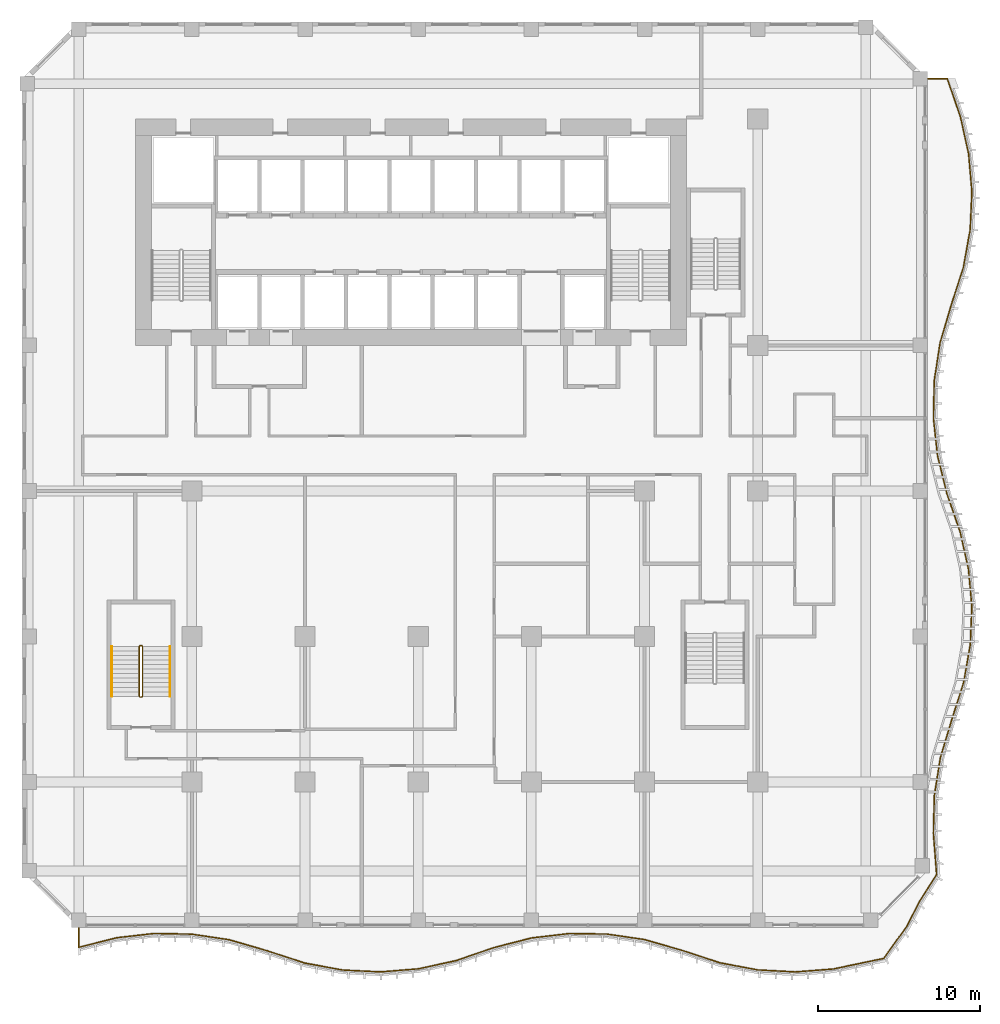
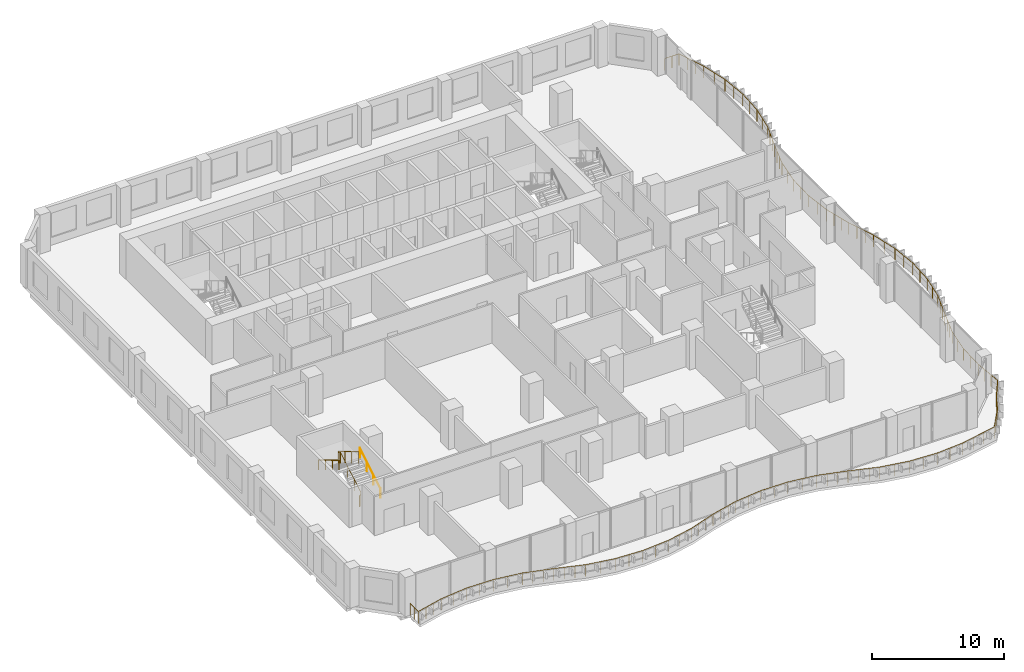
# One storey, part 19 of 21: 4 railings.
"""IFC4 building model written with IfcOpenShell, lengths in metres."""

from ifc_helpers import new_model, si_unit, direction, frame, origin, origin_2d, place, context, subcontext, project, spatial, circle, extrude, material, type_object, element, save


model = new_model("IFC4")

# Units and contexts
model_context = context("Model", 3, precision=1e-05, world=origin(), true_north=direction((0.0, 1.0)))
body_context = subcontext(model_context, "Body", "Model", "MODEL_VIEW")
ifc_project = project(units=[si_unit("LENGTHUNIT", "METRE"), si_unit("AREAUNIT", "SQUARE_METRE"), si_unit("VOLUMEUNIT", "CUBIC_METRE"), si_unit("PLANEANGLEUNIT", "RADIAN"), si_unit("MASSUNIT", "GRAM", prefix="KILO")], contexts=[model_context])

# Site, building, storey
site_placement = place(None, origin())
site = spatial("IfcSite", under=ifc_project, at=site_placement, CompositionType="ELEMENT")
building_placement = place(site_placement, origin())
building = spatial("IfcBuilding", under=site, at=building_placement, Name="Kilnfold Tower and Market Hall", CompositionType="ELEMENT")
storey_placement = place(building_placement, frame((0.0, 0.0, 91.199951171875)))
storey = spatial("IfcBuildingStorey", under=building, at=storey_placement, Name="L21", CompositionType="ELEMENT", Elevation=91.199951171875)

# Railings
ifc_material_1 = material(Name="Stainless steel 316", Category="steel")
railing_type_1 = type_object("IfcRailingType", Name="CORE STAIR GUARD 1100", PredefinedType="GUARDRAIL", material=ifc_material_1)
railing_1_placement = place(storey_placement, frame((-15.699951171875, -13.75, 0.0)))
element("IfcRailing", 1, at=railing_1_placement, inside=storey, type_object=railing_type_1, Name="L21 ST3 stair guard 1", PredefinedType="GUARDRAIL", context=body_context, shape_type="SweptSolid", body=[
    extrude(circle(Radius=0.02392578125, at=origin_2d()), frame((0.0, 0.0, 1.076171875), z_axis=(1.0, 0.0, 0.0), x_axis=(0.0, 1.0, 0.0)), (0.0, 0.0, 1.0), 0.099853515625),
    extrude(circle(Radius=0.02392578125, at=origin_2d()), frame((0.099853515625, 0.0, 1.076171875), z_axis=(0.27628659633, 0.27628659633, 0.920506074601), x_axis=(-0.707106781187, 0.707106781187, 0.0)), (0.0, 0.0, 1.0), 0.18115234375),
    extrude(circle(Radius=0.02392578125, at=origin_2d()), frame((0.14990234375, 0.050048828125, 1.24267578125), z_axis=(0.0, 0.859290745958, 0.51148745235), x_axis=(-1.0, 0.0, 0.0)), (0.0, 0.0, 1.0), 3.584228515625),
    extrude(circle(Radius=0.02392578125, at=origin_2d()), frame((0.14990234375, 3.1298828125, 3.076171875), z_axis=(-0.707106781187, 0.707106781187, 0.0), x_axis=(-0.707106781187, -0.707106781187, 0.0)), (0.0, 0.0, 1.0), 0.07080078125),
    extrude(circle(Radius=0.02392578125, at=origin_2d()), frame((0.099853515625, 3.179931640625, 3.076171875), z_axis=(-1.0, 0.0, 0.0), x_axis=(0.0, -1.0, 0.0)), (0.0, 0.0, 1.0), 0.099853515625),
    extrude(circle(Radius=0.02392578125, at=origin_2d()), frame((0.0, 3.179931640625, 3.076171875), z_axis=(-0.27628659633, -0.27628659633, 0.920506074601), x_axis=(0.707106781187, -0.707106781187, 0.0)), (0.0, 0.0, 1.0), 0.18115234375),
    extrude(circle(Radius=0.02392578125, at=origin_2d()), frame((-0.050048828125, 3.1298828125, 3.24267578125), z_axis=(0.0, -0.859290745958, 0.51148745235), x_axis=(1.0, 0.0, 0.0)), (0.0, 0.0, 1.0), 3.584228515625),
    extrude(circle(Radius=0.02099609375, at=origin_2d()), origin(), (0.0, 0.0, 1.0), 1.052001953125),
    extrude(circle(Radius=0.02099609375, at=origin_2d()), frame((0.099853515625, 0.0, 0.0)), (0.0, 0.0, 1.0), 1.052001953125),
    extrude(circle(Radius=0.02099609375, at=origin_2d()), frame((0.14990234375, 0.050048828125, 0.166748046875)), (0.0, 0.0, 1.0), 1.052001953125),
    extrude(circle(Radius=0.02099609375, at=origin_2d()), frame((0.14990234375, 1.07666015625, 0.77783203125)), (0.0, 0.0, 1.0), 1.052001953125),
    extrude(circle(Radius=0.02099609375, at=origin_2d()), frame((0.14990234375, 2.103271484375, 1.388916015625)), (0.0, 0.0, 1.0), 1.052001953125),
    extrude(circle(Radius=0.02099609375, at=origin_2d()), frame((0.14990234375, 3.1298828125, 2.0)), (0.0, 0.0, 1.0), 1.052001953125),
    extrude(circle(Radius=0.02099609375, at=origin_2d()), frame((0.099853515625, 3.179931640625, 2.0)), (0.0, 0.0, 1.0), 1.052001953125),
    extrude(circle(Radius=0.02099609375, at=origin_2d()), frame((0.0, 3.179931640625, 2.0)), (0.0, 0.0, 1.0), 1.052001953125),
    extrude(circle(Radius=0.02099609375, at=origin_2d()), frame((-0.050048828125, 3.1298828125, 2.166748046875)), (0.0, 0.0, 1.0), 1.052001953125),
    extrude(circle(Radius=0.02099609375, at=origin_2d()), frame((-0.050048828125, 2.103271484375, 2.77783203125)), (0.0, 0.0, 1.0), 1.052001953125),
    extrude(circle(Radius=0.02099609375, at=origin_2d()), frame((-0.050048828125, 1.07666015625, 3.388916015625)), (0.0, 0.0, 1.0), 1.052001953125),
    extrude(circle(Radius=0.02099609375, at=origin_2d()), frame((-0.050048828125, 0.050048828125, 4.0)), (0.0, 0.0, 1.0), 1.052001953125),
])
ifc_material_2 = material(Name="Stainless steel 316", Category="steel")
railing_type_2 = type_object("IfcRailingType", Name="CORE STAIR HANDRAIL 900", PredefinedType="HANDRAIL", material=ifc_material_2)
railing_2_placement = place(storey_placement, frame((-13.85009765625, -13.699951171875, 0.166748046875)))
element("IfcRailing", 2, at=railing_2_placement, inside=storey, type_object=railing_type_2, Name="L21 ST3 stair handrail 1", PredefinedType="HANDRAIL", context=body_context, shape_type="SweptSolid", body=[
    extrude(circle(Radius=0.02392578125, at=origin_2d()), frame((0.0, 0.0, 0.8759765625), z_axis=(0.0, 0.859290745958, 0.51148745235), x_axis=(-1.0, 0.0, 0.0)), (0.0, 0.0, 1.0), 3.584228515625),
    extrude(circle(Radius=0.02099609375, at=origin_2d()), origin(), (0.0, 0.0, 1.0), 0.851806640625),
    extrude(circle(Radius=0.02099609375, at=origin_2d()), frame((0.0, 1.026611328125, 0.611083984375)), (0.0, 0.0, 1.0), 0.851806640625),
    extrude(circle(Radius=0.02099609375, at=origin_2d()), frame((0.0, 2.05322265625, 1.22216796875)), (0.0, 0.0, 1.0), 0.851806640625),
    extrude(circle(Radius=0.02099609375, at=origin_2d()), frame((0.0, 3.079833984375, 1.833251953125)), (0.0, 0.0, 1.0), 0.851806640625),
])
railing_3_placement = place(storey_placement, frame((-17.449951171875, -10.6201171875, 2.166748046875)))
element("IfcRailing", 3, at=railing_3_placement, inside=storey, type_object=railing_type_2, Name="L21 ST3 stair handrail 2", PredefinedType="HANDRAIL", context=body_context, shape_type="SweptSolid", body=[
    extrude(circle(Radius=0.02392578125, at=origin_2d()), frame((0.0, 0.0, 0.8759765625), z_axis=(0.0, -0.859290745958, 0.51148745235), x_axis=(1.0, 0.0, 0.0)), (0.0, 0.0, 1.0), 3.584228515625),
    extrude(circle(Radius=0.02099609375, at=origin_2d()), origin(), (0.0, 0.0, 1.0), 0.851806640625),
    extrude(circle(Radius=0.02099609375, at=origin_2d()), frame((0.0, -1.026611328125, 0.611083984375)), (0.0, 0.0, 1.0), 0.851806640625),
    extrude(circle(Radius=0.02099609375, at=origin_2d()), frame((0.0, -2.05322265625, 1.22216796875)), (0.0, 0.0, 1.0), 0.851806640625),
    extrude(circle(Radius=0.02099609375, at=origin_2d()), frame((0.0, -3.079833984375, 1.833251953125)), (0.0, 0.0, 1.0), 0.851806640625),
])
ifc_material_3 = material(Name="Stainless steel and laminated glass", Category="steel")
railing_type_3 = type_object("IfcRailingType", Name="GUARD 1100", PredefinedType="GUARDRAIL", material=ifc_material_3)
railing_4_placement = place(storey_placement, frame((-19.5, -28.0, 0.0)))
element("IfcRailing", 4, at=railing_4_placement, inside=storey, type_object=railing_type_3, Name="Guard balcony L21", PredefinedType="GUARDRAIL", context=body_context, shape_type="SweptSolid", body=[
    extrude(circle(Radius=0.02490234375, at=origin_2d()), frame((0.0, 0.0, 1.0751953125), z_axis=(0.0, -1.0, 0.0), x_axis=(1.0, 0.0, 0.0)), (0.0, 0.0, 1.0), 1.223388671875),
    extrude(circle(Radius=0.02490234375, at=origin_2d()), frame((0.0, -1.223388671875, 1.0751953125), z_axis=(0.96974127328, 0.244134927646, 0.0), x_axis=(-0.244134927646, 0.96974127328, 0.0)), (0.0, 0.0, 1.0), 2.406005859375),
    extrude(circle(Radius=0.02490234375, at=origin_2d()), frame((2.333251953125, -0.635986328125, 1.0751953125), z_axis=(0.993571815271, 0.113203568407, 0.0), x_axis=(-0.113203568407, 0.993571815271, 0.0)), (0.0, 0.0, 1.0), 2.3486328125),
    extrude(circle(Radius=0.02490234375, at=origin_2d()), frame((4.666748046875, -0.3701171875, 1.0751953125), z_axis=(0.999839965068, -0.017889780687, 0.0), x_axis=(0.017889780687, 0.999839965068, 0.0)), (0.0, 0.0, 1.0), 2.333740234375),
    extrude(circle(Radius=0.02490234375, at=origin_2d()), frame((7.0, -0.411865234375, 1.0751953125), z_axis=(0.988853474468, -0.148891927358, 0.0), x_axis=(0.148891927358, 0.988853474468, 0.0)), (0.0, 0.0, 1.0), 2.359619140625),
    extrude(circle(Radius=0.02490234375, at=origin_2d()), frame((9.333251953125, -0.76318359375, 1.0751953125), z_axis=(0.960047235361, -0.279837999342, 0.0), x_axis=(0.279837999342, 0.960047235361, 0.0)), (0.0, 0.0, 1.0), 2.4306640625),
    extrude(circle(Radius=0.02490234375, at=origin_2d()), frame((11.666748046875, -1.443359375, 1.0751953125), z_axis=(0.950829875338, -0.309713655114, 0.0), x_axis=(0.309713655114, 0.950829875338, 0.0)), (0.0, 0.0, 1.0), 2.453857421875),
    extrude(circle(Radius=0.02490234375, at=origin_2d()), frame((14.0, -2.203369140625, 1.0751953125), z_axis=(0.983553882776, -0.180614948652, 0.0), x_axis=(0.180614948652, 0.983553882776, 0.0)), (0.0, 0.0, 1.0), 2.372314453125),
    extrude(circle(Radius=0.02490234375, at=origin_2d()), frame((16.333251953125, -2.6318359375, 1.0751953125), z_axis=(0.998767407187, -0.049635333586, 0.0), x_axis=(0.049635333586, 0.998767407187, 0.0)), (0.0, 0.0, 1.0), 2.33642578125),
    extrude(circle(Radius=0.02490234375, at=origin_2d()), frame((18.666748046875, -2.747802734375, 1.0751953125), z_axis=(0.996685996413, 0.081345095449, 0.0), x_axis=(-0.081345095449, 0.996685996413, 0.0)), (0.0, 0.0, 1.0), 2.341064453125),
    extrude(circle(Radius=0.02490234375, at=origin_2d()), frame((21.0, -2.557373046875, 1.0751953125), z_axis=(0.97716805797, 0.212467848118, 0.0), x_axis=(-0.212467848118, 0.97716805797, 0.0)), (0.0, 0.0, 1.0), 2.3876953125),
    extrude(circle(Radius=0.02490234375, at=origin_2d()), frame((23.333251953125, -2.050048828125, 1.0751953125), z_axis=(0.945521113072, 0.325560785009, 0.0), x_axis=(-0.325560785009, 0.945521113072, 0.0)), (0.0, 0.0, 1.0), 2.468017578125),
    extrude(circle(Radius=0.02490234375, at=origin_2d()), frame((25.666748046875, -1.24658203125, 1.0751953125), z_axis=(0.96870074777, 0.248231467122, 0.0), x_axis=(-0.248231467122, 0.96870074777, 0.0)), (0.0, 0.0, 1.0), 2.40869140625),
    extrude(circle(Radius=0.02490234375, at=origin_2d()), frame((28.0, -0.648681640625, 1.0751953125), z_axis=(0.993130728786, 0.117010065984, 0.0), x_axis=(-0.117010065984, 0.993130728786, 0.0)), (0.0, 0.0, 1.0), 2.349365234375),
    extrude(circle(Radius=0.02490234375, at=origin_2d()), frame((30.333251953125, -0.373779296875, 1.0751953125), z_axis=(0.999904649781, -0.013809103763, 0.0), x_axis=(0.013809103763, 0.999904649781, 0.0)), (0.0, 0.0, 1.0), 2.333740234375),
    extrude(circle(Radius=0.02490234375, at=origin_2d()), frame((32.666748046875, -0.406005859375, 1.0751953125), z_axis=(0.989440070297, -0.144942565493, 0.0), x_axis=(0.144942565493, 0.989440070297, 0.0)), (0.0, 0.0, 1.0), 2.358154296875),
    extrude(circle(Radius=0.02490234375, at=origin_2d()), frame((35.0, -0.747802734375, 1.0751953125), z_axis=(0.96119306428, -0.275876590491, 0.0), x_axis=(0.275876590491, 0.96119306428, 0.0)), (0.0, 0.0, 1.0), 2.427490234375),
    extrude(circle(Radius=0.02490234375, at=origin_2d()), frame((37.333251953125, -1.41748046875, 1.0751953125), z_axis=(0.949898615679, -0.312558186473, 0.0), x_axis=(0.312558186473, 0.949898615679, 0.0)), (0.0, 0.0, 1.0), 2.45654296875),
    extrude(circle(Radius=0.02490234375, at=origin_2d()), frame((39.666748046875, -2.185302734375, 1.0751953125), z_axis=(0.982815094306, -0.184592769099, 0.0), x_axis=(0.184592769099, 0.982815094306, 0.0)), (0.0, 0.0, 1.0), 2.3740234375),
    extrude(circle(Radius=0.02490234375, at=origin_2d()), frame((42.0, -2.62353515625, 1.0751953125), z_axis=(0.998562445583, -0.053600767457, 0.0), x_axis=(0.053600767457, 0.998562445583, 0.0)), (0.0, 0.0, 1.0), 2.336669921875),
    extrude(circle(Radius=0.02490234375, at=origin_2d()), frame((44.333251953125, -2.748779296875, 1.0751953125), z_axis=(0.997000242358, 0.077398428524, 0.0), x_axis=(-0.077398428524, 0.997000242358, 0.0)), (0.0, 0.0, 1.0), 2.340576171875),
    extrude(circle(Radius=0.02490234375, at=origin_2d()), frame((46.666748046875, -2.567626953125, 1.0751953125), z_axis=(0.978736758256, 0.205120350133, 0.0), x_axis=(-0.205120350133, 0.978736758256, 0.0)), (0.0, 0.0, 1.0), 3.193359375),
    extrude(circle(Radius=0.02490234375, at=origin_2d()), frame((49.792236328125, -1.91259765625, 1.0751953125), z_axis=(0.583969397826, 0.811775672463, 0.0), x_axis=(-0.811775672463, 0.583969397826, 0.0)), (0.0, 0.0, 1.0), 2.474609375),
    extrude(circle(Radius=0.02490234375, at=origin_2d()), frame((51.2373046875, 0.09619140625, 1.0751953125), z_axis=(0.453674913067, 0.891167253243, 0.0), x_axis=(-0.891167253243, 0.453674913067, 0.0)), (0.0, 0.0, 1.0), 1.73486328125),
    extrude(circle(Radius=0.02490234375, at=origin_2d()), frame((52.0244140625, 1.642333984375, 1.0751953125), z_axis=(0.5392081706, 0.842172517218, 0.0), x_axis=(-0.842172517218, 0.5392081706, 0.0)), (0.0, 0.0, 1.0), 1.928466796875),
    extrude(circle(Radius=0.02490234375, at=origin_2d()), frame((53.064208984375, 3.266357421875, 1.0751953125), z_axis=(-0.077755130235, 0.996972486943, 0.0), x_axis=(-0.996972486943, -0.077755130235, 0.0)), (0.0, 0.0, 1.0), 2.57470703125),
    extrude(circle(Radius=0.02490234375, at=origin_2d()), frame((52.864013671875, 5.833251953125, 1.0751953125), z_axis=(0.02583360174, 0.999666256818, 0.0), x_axis=(-0.999666256818, 0.02583360174, 0.0)), (0.0, 0.0, 1.0), 2.334228515625),
    extrude(circle(Radius=0.02490234375, at=origin_2d()), frame((52.92431640625, 8.166748046875, 1.0751953125), z_axis=(0.15676914423, 0.98763527449, 0.0), x_axis=(-0.98763527449, 0.15676914423, 0.0)), (0.0, 0.0, 1.0), 2.362548828125),
    extrude(circle(Radius=0.02490234375, at=origin_2d()), frame((53.294677734375, 10.5, 1.0751953125), z_axis=(0.287890235925, 0.957663412718, 0.0), x_axis=(-0.957663412718, 0.287890235925, 0.0)), (0.0, 0.0, 1.0), 2.436279296875),
    extrude(circle(Radius=0.02490234375, at=origin_2d()), frame((53.99609375, 12.833251953125, 1.0751953125), z_axis=(0.303187196471, 0.952931017386, 0.0), x_axis=(-0.952931017386, 0.303187196471, 0.0)), (0.0, 0.0, 1.0), 2.44873046875),
    extrude(circle(Radius=0.02490234375, at=origin_2d()), frame((54.738525390625, 15.166748046875, 1.0751953125), z_axis=(0.172732820859, 0.984968716558, 0.0), x_axis=(-0.984968716558, 0.172732820859, 0.0)), (0.0, 0.0, 1.0), 2.368896484375),
    extrude(circle(Radius=0.02490234375, at=origin_2d()), frame((55.147705078125, 17.5, 1.0751953125), z_axis=(0.041713165348, 0.999129627144, 0.0), x_axis=(-0.999129627144, 0.041713165348, 0.0)), (0.0, 0.0, 1.0), 2.335205078125),
    extrude(circle(Radius=0.02490234375, at=origin_2d()), frame((55.2451171875, 19.833251953125, 1.0751953125), z_axis=(-0.089408219928, 0.995995065354, 0.0), x_axis=(-0.995995065354, -0.089408219928, 0.0)), (0.0, 0.0, 1.0), 2.3427734375),
    extrude(circle(Radius=0.02490234375, at=origin_2d()), frame((55.03564453125, 22.166748046875, 1.0751953125), z_axis=(-0.220354849569, 0.97541977644, 0.0), x_axis=(-0.97541977644, -0.220354849569, 0.0)), (0.0, 0.0, 1.0), 2.39208984375),
    extrude(circle(Radius=0.02490234375, at=origin_2d()), frame((54.508544921875, 24.5, 1.0751953125), z_axis=(-0.327270166885, 0.944930811153, 0.0), x_axis=(-0.944930811153, -0.327270166885, 0.0)), (0.0, 0.0, 1.0), 2.46923828125),
    extrude(circle(Radius=0.02490234375, at=origin_2d()), frame((53.700439453125, 26.833251953125, 1.0751953125), z_axis=(-0.240097323203, 0.970748821988, 0.0), x_axis=(-0.970748821988, -0.240097323203, 0.0)), (0.0, 0.0, 1.0), 2.40380859375),
    extrude(circle(Radius=0.02490234375, at=origin_2d()), frame((53.123291015625, 29.166748046875, 1.0751953125), z_axis=(-0.109209965363, 0.994018703781, 0.0), x_axis=(-0.994018703781, -0.109209965363, 0.0)), (0.0, 0.0, 1.0), 2.347412109375),
    extrude(circle(Radius=0.02490234375, at=origin_2d()), frame((52.866943359375, 31.5, 1.0751953125), z_axis=(0.021863559845, 0.999760963806, 0.0), x_axis=(-0.999760963806, 0.021863559845, 0.0)), (0.0, 0.0, 1.0), 2.333740234375),
    extrude(circle(Radius=0.02490234375, at=origin_2d()), frame((52.91796875, 33.833251953125, 1.0751953125), z_axis=(0.152818560385, 0.988254262628, 0.0), x_axis=(-0.988254262628, 0.152818560385, 0.0)), (0.0, 0.0, 1.0), 2.361328125),
    extrude(circle(Radius=0.02490234375, at=origin_2d()), frame((53.27880859375, 36.166748046875, 1.0751953125), z_axis=(0.283838945335, 0.958871969093, 0.0), x_axis=(-0.958871969093, 0.283838945335, 0.0)), (0.0, 0.0, 1.0), 2.433349609375),
    extrude(circle(Radius=0.02490234375, at=origin_2d()), frame((53.969482421875, 38.5, 1.0751953125), z_axis=(0.306650659019, 0.951822133239, 0.0), x_axis=(-0.951822133239, 0.306650659019, 0.0)), (0.0, 0.0, 1.0), 2.451416015625),
    extrude(circle(Radius=0.02490234375, at=origin_2d()), frame((54.72119140625, 40.833251953125, 1.0751953125), z_axis=(0.176610342499, 0.984280847585, 0.0), x_axis=(-0.984280847585, 0.176610342499, 0.0)), (0.0, 0.0, 1.0), 2.370849609375),
    extrude(circle(Radius=0.02490234375, at=origin_2d()), frame((55.139892578125, 43.166748046875, 1.0751953125), z_axis=(0.045677918569, 0.998956219138, 0.0), x_axis=(-0.998956219138, 0.045677918569, 0.0)), (0.0, 0.0, 1.0), 2.335693359375),
    extrude(circle(Radius=0.02490234375, at=origin_2d()), frame((55.24658203125, 45.5, 1.0751953125), z_axis=(-0.085383399696, 0.996348169595, 0.0), x_axis=(-0.996348169595, -0.085383399696, 0.0)), (0.0, 0.0, 1.0), 2.341796875),
    extrude(circle(Radius=0.02490234375, at=origin_2d()), frame((55.046630859375, 47.833251953125, 1.0751953125), z_axis=(-0.216346381105, 0.976316671671, 0.0), x_axis=(-0.976316671671, -0.216346381105, 0.0)), (0.0, 0.0, 1.0), 2.39013671875),
    extrude(circle(Radius=0.02490234375, at=origin_2d()), frame((54.529541015625, 50.166748046875, 1.0751953125), z_axis=(-0.326563626531, 0.945175220701, 0.0), x_axis=(-0.945175220701, -0.326563626531, 0.0)), (0.0, 0.0, 1.0), 2.468505859375),
    extrude(circle(Radius=0.02490234375, at=origin_2d()), frame((53.723388671875, 52.5, 1.0751953125), z_axis=(-1.0, 0.0, 0.0), x_axis=(0.0, -1.0, 0.0)), (0.0, 0.0, 1.0), 1.223388671875),
    extrude(circle(Radius=0.02490234375, at=origin_2d()), origin(), (0.0, 0.0, 1.0), 1.050048828125),
    extrude(circle(Radius=0.02490234375, at=origin_2d()), frame((0.0, -0.61181640625, 0.0)), (0.0, 0.0, 1.0), 1.050048828125),
    extrude(circle(Radius=0.02490234375, at=origin_2d()), frame((0.0, -1.223388671875, 0.0)), (0.0, 0.0, 1.0), 1.050048828125),
    extrude(circle(Radius=0.02490234375, at=origin_2d()), frame((0.77783203125, -1.027587890625, 0.0)), (0.0, 0.0, 1.0), 1.050048828125),
    extrude(circle(Radius=0.02490234375, at=origin_2d()), frame((1.555419921875, -0.831787109375, 0.0)), (0.0, 0.0, 1.0), 1.050048828125),
    extrude(circle(Radius=0.02490234375, at=origin_2d()), frame((2.333251953125, -0.635986328125, 0.0)), (0.0, 0.0, 1.0), 1.050048828125),
    extrude(circle(Radius=0.02490234375, at=origin_2d()), frame((3.5, -0.5029296875, 0.0)), (0.0, 0.0, 1.0), 1.050048828125),
    extrude(circle(Radius=0.02490234375, at=origin_2d()), frame((4.666748046875, -0.3701171875, 0.0)), (0.0, 0.0, 1.0), 1.050048828125),
    extrude(circle(Radius=0.02490234375, at=origin_2d()), frame((5.83349609375, -0.39111328125, 0.0)), (0.0, 0.0, 1.0), 1.050048828125),
    extrude(circle(Radius=0.02490234375, at=origin_2d()), frame((7.0, -0.411865234375, 0.0)), (0.0, 0.0, 1.0), 1.050048828125),
    extrude(circle(Radius=0.02490234375, at=origin_2d()), frame((8.16650390625, -0.58740234375, 0.0)), (0.0, 0.0, 1.0), 1.050048828125),
    extrude(circle(Radius=0.02490234375, at=origin_2d()), frame((9.333251953125, -0.76318359375, 0.0)), (0.0, 0.0, 1.0), 1.050048828125),
    extrude(circle(Radius=0.02490234375, at=origin_2d()), frame((10.111083984375, -0.989990234375, 0.0)), (0.0, 0.0, 1.0), 1.050048828125),
    extrude(circle(Radius=0.02490234375, at=origin_2d()), frame((10.888916015625, -1.216552734375, 0.0)), (0.0, 0.0, 1.0), 1.050048828125),
    extrude(circle(Radius=0.02490234375, at=origin_2d()), frame((11.666748046875, -1.443359375, 0.0)), (0.0, 0.0, 1.0), 1.050048828125),
    extrude(circle(Radius=0.02490234375, at=origin_2d()), frame((12.444580078125, -1.69677734375, 0.0)), (0.0, 0.0, 1.0), 1.050048828125),
    extrude(circle(Radius=0.02490234375, at=origin_2d()), frame((13.22216796875, -1.949951171875, 0.0)), (0.0, 0.0, 1.0), 1.050048828125),
    extrude(circle(Radius=0.02490234375, at=origin_2d()), frame((14.0, -2.203369140625, 0.0)), (0.0, 0.0, 1.0), 1.050048828125),
    extrude(circle(Radius=0.02490234375, at=origin_2d()), frame((15.16650390625, -2.41748046875, 0.0)), (0.0, 0.0, 1.0), 1.050048828125),
    extrude(circle(Radius=0.02490234375, at=origin_2d()), frame((16.333251953125, -2.6318359375, 0.0)), (0.0, 0.0, 1.0), 1.050048828125),
    extrude(circle(Radius=0.02490234375, at=origin_2d()), frame((17.5, -2.68994140625, 0.0)), (0.0, 0.0, 1.0), 1.050048828125),
    extrude(circle(Radius=0.02490234375, at=origin_2d()), frame((18.666748046875, -2.747802734375, 0.0)), (0.0, 0.0, 1.0), 1.050048828125),
    extrude(circle(Radius=0.02490234375, at=origin_2d()), frame((19.83349609375, -2.652587890625, 0.0)), (0.0, 0.0, 1.0), 1.050048828125),
    extrude(circle(Radius=0.02490234375, at=origin_2d()), frame((21.0, -2.557373046875, 0.0)), (0.0, 0.0, 1.0), 1.050048828125),
    extrude(circle(Radius=0.02490234375, at=origin_2d()), frame((22.16650390625, -2.3037109375, 0.0)), (0.0, 0.0, 1.0), 1.050048828125),
    extrude(circle(Radius=0.02490234375, at=origin_2d()), frame((23.333251953125, -2.050048828125, 0.0)), (0.0, 0.0, 1.0), 1.050048828125),
    extrude(circle(Radius=0.02490234375, at=origin_2d()), frame((24.111083984375, -1.7822265625, 0.0)), (0.0, 0.0, 1.0), 1.050048828125),
    extrude(circle(Radius=0.02490234375, at=origin_2d()), frame((24.888916015625, -1.514404296875, 0.0)), (0.0, 0.0, 1.0), 1.050048828125),
    extrude(circle(Radius=0.02490234375, at=origin_2d()), frame((25.666748046875, -1.24658203125, 0.0)), (0.0, 0.0, 1.0), 1.050048828125),
    extrude(circle(Radius=0.02490234375, at=origin_2d()), frame((26.444580078125, -1.04736328125, 0.0)), (0.0, 0.0, 1.0), 1.050048828125),
    extrude(circle(Radius=0.02490234375, at=origin_2d()), frame((27.22216796875, -0.847900390625, 0.0)), (0.0, 0.0, 1.0), 1.050048828125),
    extrude(circle(Radius=0.02490234375, at=origin_2d()), frame((28.0, -0.648681640625, 0.0)), (0.0, 0.0, 1.0), 1.050048828125),
    extrude(circle(Radius=0.02490234375, at=origin_2d()), frame((29.16650390625, -0.51123046875, 0.0)), (0.0, 0.0, 1.0), 1.050048828125),
    extrude(circle(Radius=0.02490234375, at=origin_2d()), frame((30.333251953125, -0.373779296875, 0.0)), (0.0, 0.0, 1.0), 1.050048828125),
    extrude(circle(Radius=0.02490234375, at=origin_2d()), frame((31.5, -0.389892578125, 0.0)), (0.0, 0.0, 1.0), 1.050048828125),
    extrude(circle(Radius=0.02490234375, at=origin_2d()), frame((32.666748046875, -0.406005859375, 0.0)), (0.0, 0.0, 1.0), 1.050048828125),
    extrude(circle(Radius=0.02490234375, at=origin_2d()), frame((33.83349609375, -0.576904296875, 0.0)), (0.0, 0.0, 1.0), 1.050048828125),
    extrude(circle(Radius=0.02490234375, at=origin_2d()), frame((35.0, -0.747802734375, 0.0)), (0.0, 0.0, 1.0), 1.050048828125),
    extrude(circle(Radius=0.02490234375, at=origin_2d()), frame((35.77783203125, -0.970947265625, 0.0)), (0.0, 0.0, 1.0), 1.050048828125),
    extrude(circle(Radius=0.02490234375, at=origin_2d()), frame((36.555419921875, -1.1943359375, 0.0)), (0.0, 0.0, 1.0), 1.050048828125),
    extrude(circle(Radius=0.02490234375, at=origin_2d()), frame((37.333251953125, -1.41748046875, 0.0)), (0.0, 0.0, 1.0), 1.050048828125),
    extrude(circle(Radius=0.02490234375, at=origin_2d()), frame((38.111083984375, -1.67333984375, 0.0)), (0.0, 0.0, 1.0), 1.050048828125),
    extrude(circle(Radius=0.02490234375, at=origin_2d()), frame((38.888916015625, -1.929443359375, 0.0)), (0.0, 0.0, 1.0), 1.050048828125),
    extrude(circle(Radius=0.02490234375, at=origin_2d()), frame((39.666748046875, -2.185302734375, 0.0)), (0.0, 0.0, 1.0), 1.050048828125),
    extrude(circle(Radius=0.02490234375, at=origin_2d()), frame((40.83349609375, -2.404296875, 0.0)), (0.0, 0.0, 1.0), 1.050048828125),
    extrude(circle(Radius=0.02490234375, at=origin_2d()), frame((42.0, -2.62353515625, 0.0)), (0.0, 0.0, 1.0), 1.050048828125),
    extrude(circle(Radius=0.02490234375, at=origin_2d()), frame((43.16650390625, -2.68603515625, 0.0)), (0.0, 0.0, 1.0), 1.050048828125),
    extrude(circle(Radius=0.02490234375, at=origin_2d()), frame((44.333251953125, -2.748779296875, 0.0)), (0.0, 0.0, 1.0), 1.050048828125),
    extrude(circle(Radius=0.02490234375, at=origin_2d()), frame((45.5, -2.658203125, 0.0)), (0.0, 0.0, 1.0), 1.050048828125),
    extrude(circle(Radius=0.02490234375, at=origin_2d()), frame((46.666748046875, -2.567626953125, 0.0)), (0.0, 0.0, 1.0), 1.050048828125),
    extrude(circle(Radius=0.02490234375, at=origin_2d()), frame((47.70849609375, -2.349365234375, 0.0)), (0.0, 0.0, 1.0), 1.050048828125),
    extrude(circle(Radius=0.02490234375, at=origin_2d()), frame((48.75048828125, -2.130859375, 0.0)), (0.0, 0.0, 1.0), 1.050048828125),
    extrude(circle(Radius=0.02490234375, at=origin_2d()), frame((49.792236328125, -1.91259765625, 0.0)), (0.0, 0.0, 1.0), 1.050048828125),
    extrude(circle(Radius=0.02490234375, at=origin_2d()), frame((50.27392578125, -1.242919921875, 0.0)), (0.0, 0.0, 1.0), 1.050048828125),
    extrude(circle(Radius=0.02490234375, at=origin_2d()), frame((50.755615234375, -0.573486328125, 0.0)), (0.0, 0.0, 1.0), 1.050048828125),
    extrude(circle(Radius=0.02490234375, at=origin_2d()), frame((51.2373046875, 0.09619140625, 0.0)), (0.0, 0.0, 1.0), 1.050048828125),
    extrude(circle(Radius=0.02490234375, at=origin_2d()), frame((51.630859375, 0.869140625, 0.0)), (0.0, 0.0, 1.0), 1.050048828125),
    extrude(circle(Radius=0.02490234375, at=origin_2d()), frame((52.0244140625, 1.642333984375, 0.0)), (0.0, 0.0, 1.0), 1.050048828125),
    extrude(circle(Radius=0.02490234375, at=origin_2d()), frame((52.54443359375, 2.454345703125, 0.0)), (0.0, 0.0, 1.0), 1.050048828125),
    extrude(circle(Radius=0.02490234375, at=origin_2d()), frame((53.064208984375, 3.266357421875, 0.0)), (0.0, 0.0, 1.0), 1.050048828125),
    extrude(circle(Radius=0.02490234375, at=origin_2d()), frame((52.99755859375, 4.1220703125, 0.0)), (0.0, 0.0, 1.0), 1.050048828125),
    extrude(circle(Radius=0.02490234375, at=origin_2d()), frame((52.9306640625, 4.9775390625, 0.0)), (0.0, 0.0, 1.0), 1.050048828125),
    extrude(circle(Radius=0.02490234375, at=origin_2d()), frame((52.864013671875, 5.833251953125, 0.0)), (0.0, 0.0, 1.0), 1.050048828125),
    extrude(circle(Radius=0.02490234375, at=origin_2d()), frame((52.89404296875, 7.0, 0.0)), (0.0, 0.0, 1.0), 1.050048828125),
    extrude(circle(Radius=0.02490234375, at=origin_2d()), frame((52.92431640625, 8.166748046875, 0.0)), (0.0, 0.0, 1.0), 1.050048828125),
    extrude(circle(Radius=0.02490234375, at=origin_2d()), frame((53.109375, 9.33349609375, 0.0)), (0.0, 0.0, 1.0), 1.050048828125),
    extrude(circle(Radius=0.02490234375, at=origin_2d()), frame((53.294677734375, 10.5, 0.0)), (0.0, 0.0, 1.0), 1.050048828125),
    extrude(circle(Radius=0.02490234375, at=origin_2d()), frame((53.528564453125, 11.27783203125, 0.0)), (0.0, 0.0, 1.0), 1.050048828125),
    extrude(circle(Radius=0.02490234375, at=origin_2d()), frame((53.76220703125, 12.055419921875, 0.0)), (0.0, 0.0, 1.0), 1.050048828125),
    extrude(circle(Radius=0.02490234375, at=origin_2d()), frame((53.99609375, 12.833251953125, 0.0)), (0.0, 0.0, 1.0), 1.050048828125),
    extrude(circle(Radius=0.02490234375, at=origin_2d()), frame((54.24365234375, 13.611083984375, 0.0)), (0.0, 0.0, 1.0), 1.050048828125),
    extrude(circle(Radius=0.02490234375, at=origin_2d()), frame((54.490966796875, 14.388916015625, 0.0)), (0.0, 0.0, 1.0), 1.050048828125),
    extrude(circle(Radius=0.02490234375, at=origin_2d()), frame((54.738525390625, 15.166748046875, 0.0)), (0.0, 0.0, 1.0), 1.050048828125),
    extrude(circle(Radius=0.02490234375, at=origin_2d()), frame((54.943115234375, 16.33349609375, 0.0)), (0.0, 0.0, 1.0), 1.050048828125),
    extrude(circle(Radius=0.02490234375, at=origin_2d()), frame((55.147705078125, 17.5, 0.0)), (0.0, 0.0, 1.0), 1.050048828125),
    extrude(circle(Radius=0.02490234375, at=origin_2d()), frame((55.1962890625, 18.66650390625, 0.0)), (0.0, 0.0, 1.0), 1.050048828125),
    extrude(circle(Radius=0.02490234375, at=origin_2d()), frame((55.2451171875, 19.833251953125, 0.0)), (0.0, 0.0, 1.0), 1.050048828125),
    extrude(circle(Radius=0.02490234375, at=origin_2d()), frame((55.140380859375, 21.0, 0.0)), (0.0, 0.0, 1.0), 1.050048828125),
    extrude(circle(Radius=0.02490234375, at=origin_2d()), frame((55.03564453125, 22.166748046875, 0.0)), (0.0, 0.0, 1.0), 1.050048828125),
    extrude(circle(Radius=0.02490234375, at=origin_2d()), frame((54.77197265625, 23.33349609375, 0.0)), (0.0, 0.0, 1.0), 1.050048828125),
    extrude(circle(Radius=0.02490234375, at=origin_2d()), frame((54.508544921875, 24.5, 0.0)), (0.0, 0.0, 1.0), 1.050048828125),
    extrude(circle(Radius=0.02490234375, at=origin_2d()), frame((54.2392578125, 25.27783203125, 0.0)), (0.0, 0.0, 1.0), 1.050048828125),
    extrude(circle(Radius=0.02490234375, at=origin_2d()), frame((53.9697265625, 26.055419921875, 0.0)), (0.0, 0.0, 1.0), 1.050048828125),
    extrude(circle(Radius=0.02490234375, at=origin_2d()), frame((53.700439453125, 26.833251953125, 0.0)), (0.0, 0.0, 1.0), 1.050048828125),
    extrude(circle(Radius=0.02490234375, at=origin_2d()), frame((53.508056640625, 27.611083984375, 0.0)), (0.0, 0.0, 1.0), 1.050048828125),
    extrude(circle(Radius=0.02490234375, at=origin_2d()), frame((53.315673828125, 28.388916015625, 0.0)), (0.0, 0.0, 1.0), 1.050048828125),
    extrude(circle(Radius=0.02490234375, at=origin_2d()), frame((53.123291015625, 29.166748046875, 0.0)), (0.0, 0.0, 1.0), 1.050048828125),
    extrude(circle(Radius=0.02490234375, at=origin_2d()), frame((52.9951171875, 30.33349609375, 0.0)), (0.0, 0.0, 1.0), 1.050048828125),
    extrude(circle(Radius=0.02490234375, at=origin_2d()), frame((52.866943359375, 31.5, 0.0)), (0.0, 0.0, 1.0), 1.050048828125),
    extrude(circle(Radius=0.02490234375, at=origin_2d()), frame((52.892578125, 32.66650390625, 0.0)), (0.0, 0.0, 1.0), 1.050048828125),
    extrude(circle(Radius=0.02490234375, at=origin_2d()), frame((52.91796875, 33.833251953125, 0.0)), (0.0, 0.0, 1.0), 1.050048828125),
    extrude(circle(Radius=0.02490234375, at=origin_2d()), frame((53.098388671875, 35.0, 0.0)), (0.0, 0.0, 1.0), 1.050048828125),
    extrude(circle(Radius=0.02490234375, at=origin_2d()), frame((53.27880859375, 36.166748046875, 0.0)), (0.0, 0.0, 1.0), 1.050048828125),
    extrude(circle(Radius=0.02490234375, at=origin_2d()), frame((53.509033203125, 36.944580078125, 0.0)), (0.0, 0.0, 1.0), 1.050048828125),
    extrude(circle(Radius=0.02490234375, at=origin_2d()), frame((53.7392578125, 37.72216796875, 0.0)), (0.0, 0.0, 1.0), 1.050048828125),
    extrude(circle(Radius=0.02490234375, at=origin_2d()), frame((53.969482421875, 38.5, 0.0)), (0.0, 0.0, 1.0), 1.050048828125),
    extrude(circle(Radius=0.02490234375, at=origin_2d()), frame((54.219970703125, 39.27783203125, 0.0)), (0.0, 0.0, 1.0), 1.050048828125),
    extrude(circle(Radius=0.02490234375, at=origin_2d()), frame((54.470703125, 40.055419921875, 0.0)), (0.0, 0.0, 1.0), 1.050048828125),
    extrude(circle(Radius=0.02490234375, at=origin_2d()), frame((54.72119140625, 40.833251953125, 0.0)), (0.0, 0.0, 1.0), 1.050048828125),
    extrude(circle(Radius=0.02490234375, at=origin_2d()), frame((54.9306640625, 42.0, 0.0)), (0.0, 0.0, 1.0), 1.050048828125),
    extrude(circle(Radius=0.02490234375, at=origin_2d()), frame((55.139892578125, 43.166748046875, 0.0)), (0.0, 0.0, 1.0), 1.050048828125),
    extrude(circle(Radius=0.02490234375, at=origin_2d()), frame((55.193359375, 44.33349609375, 0.0)), (0.0, 0.0, 1.0), 1.050048828125),
    extrude(circle(Radius=0.02490234375, at=origin_2d()), frame((55.24658203125, 45.5, 0.0)), (0.0, 0.0, 1.0), 1.050048828125),
    extrude(circle(Radius=0.02490234375, at=origin_2d()), frame((55.146484375, 46.66650390625, 0.0)), (0.0, 0.0, 1.0), 1.050048828125),
    extrude(circle(Radius=0.02490234375, at=origin_2d()), frame((55.046630859375, 47.833251953125, 0.0)), (0.0, 0.0, 1.0), 1.050048828125),
    extrude(circle(Radius=0.02490234375, at=origin_2d()), frame((54.7880859375, 49.0, 0.0)), (0.0, 0.0, 1.0), 1.050048828125),
    extrude(circle(Radius=0.02490234375, at=origin_2d()), frame((54.529541015625, 50.166748046875, 0.0)), (0.0, 0.0, 1.0), 1.050048828125),
    extrude(circle(Radius=0.02490234375, at=origin_2d()), frame((54.2607421875, 50.944580078125, 0.0)), (0.0, 0.0, 1.0), 1.050048828125),
    extrude(circle(Radius=0.02490234375, at=origin_2d()), frame((53.9921875, 51.72216796875, 0.0)), (0.0, 0.0, 1.0), 1.050048828125),
    extrude(circle(Radius=0.02490234375, at=origin_2d()), frame((53.723388671875, 52.5, 0.0)), (0.0, 0.0, 1.0), 1.050048828125),
    extrude(circle(Radius=0.02490234375, at=origin_2d()), frame((53.11181640625, 52.5, 0.0)), (0.0, 0.0, 1.0), 1.050048828125),
    extrude(circle(Radius=0.02490234375, at=origin_2d()), frame((52.5, 52.5, 0.0)), (0.0, 0.0, 1.0), 1.050048828125),
])

save(model, "model.ifc")
